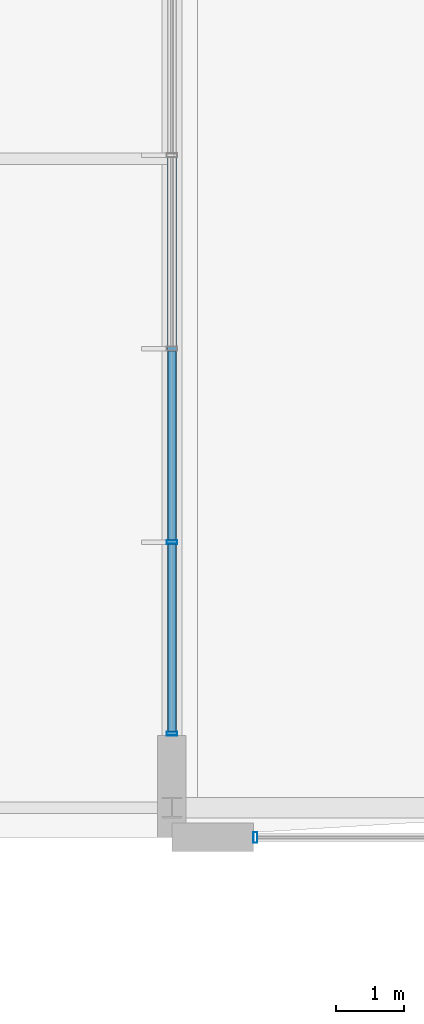
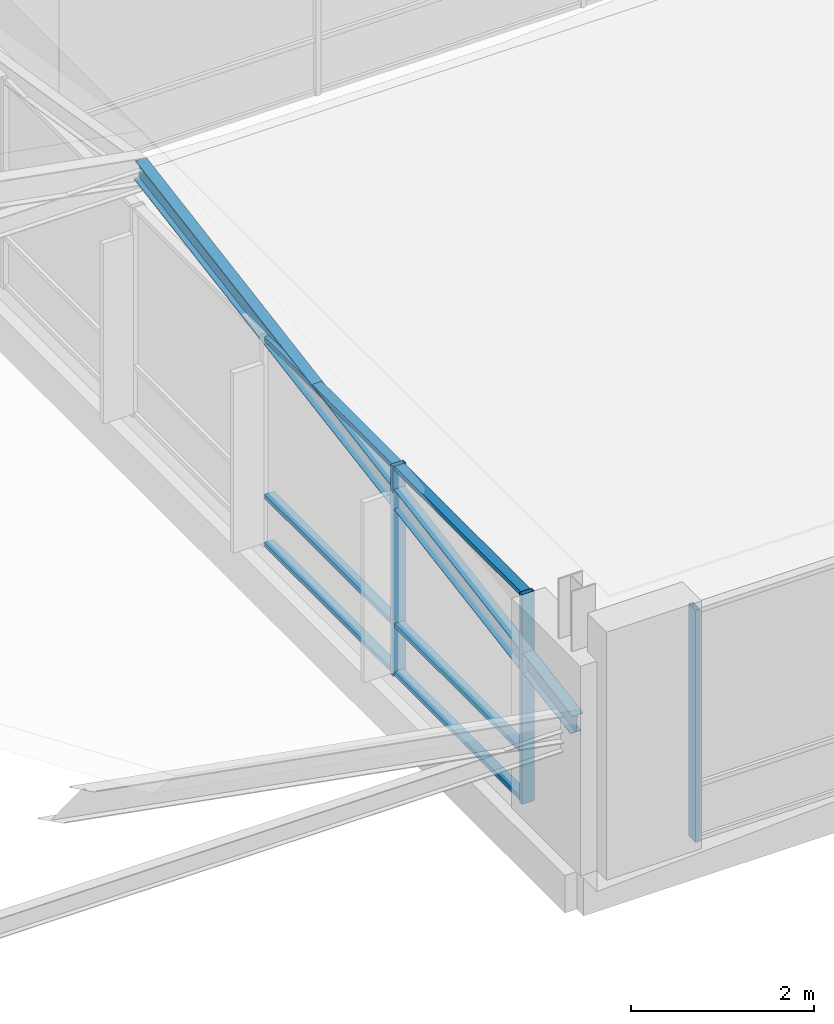
# One storey, part 43 of 189: 10 members, 2 elements without a shape of their own.
"""IFC4 building model written with IfcOpenShell, lengths in metres."""

from ifc_helpers import new_model, si_unit, direction, frame, origin, origin_2d, place, context, subcontext, project, spatial, hollow_rectangle, i_section, extrude, material, material_profile, profile_set, type_object, element, aggregate, save


model = new_model("IFC4")

# Units and contexts
model_context = context("Model", 3, precision=1e-05, world=origin(), true_north=direction((0.0, 1.0)))
body_context = subcontext(model_context, "Body", "Model", "MODEL_VIEW")
ifc_project = project(units=[si_unit("LENGTHUNIT", "METRE"), si_unit("AREAUNIT", "SQUARE_METRE"), si_unit("VOLUMEUNIT", "CUBIC_METRE"), si_unit("PLANEANGLEUNIT", "RADIAN"), si_unit("MASSUNIT", "GRAM", prefix="KILO")], contexts=[model_context])

# Site, building, storey
site_placement = place(None, origin())
site = spatial("IfcSite", under=ifc_project, at=site_placement, CompositionType="ELEMENT")
building_placement = place(site_placement, origin())
building = spatial("IfcBuilding", under=site, at=building_placement, Name="Zavelmont Quarter", CompositionType="ELEMENT")
storey_placement = place(building_placement, frame((0.0, 0.0, 4.39990234375)))
storey = spatial("IfcBuildingStorey", under=building, at=storey_placement, Name="L01", CompositionType="ELEMENT", Elevation=4.39990234375)

# Curtain wall, member
ifc_material_1 = material(Name="Thermally broken aluminium and double low-E safety glazing", Category="aluminium")
curtain_wall_type_1 = type_object("IfcCurtainWallType", Name="CW-1140X310", PredefinedType="NOTDEFINED", material=ifc_material_1)
curtain_wall_1_placement = place(storey_placement, origin())
curtain_wall_1 = element("IfcCurtainWall", 1, at=curtain_wall_1_placement, inside=storey, type_object=curtain_wall_type_1, Name="L01 unitised curtain wall CW-1140X310", PredefinedType="NOTDEFINED")
ifc_material_2 = material(Name="Powder-coated aluminium EN AW-6063-T6", Category="aluminium")
ifc_material_profile_1 = material_profile(ifc_material_2, hollow_rectangle(XDim=0.06005859375, YDim=0.159912109375, WallThickness=0.00390625, at=origin_2d()), Name="CWM60X160")
ifc_profile_set_1 = profile_set([ifc_material_profile_1], Name="Powder-coated aluminium EN AW-6063-T6")
member_type_1 = type_object("IfcMemberType", Name="CWM01", PredefinedType="MULLION", material=ifc_profile_set_1)
member_1_placement = place(storey_placement, frame((93.22998046875, 0.0, 0.0), z_axis=(0.0, 0.0, 1.0), x_axis=(1.0, 0.0, 0.0)))
member_1 = element("IfcMember", 2, at=member_1_placement, type_object=member_type_1, Name="CW-1140X310 mullion 1", PredefinedType="MULLION", context=body_context, shape_type="SweptSolid", body=[
    extrude(hollow_rectangle(XDim=0.06005859375, YDim=0.159912109375, WallThickness=0.00390625, at=origin_2d()), origin(), (0.0, 0.0, 1.0), 3.10009765625),
])
aggregate(curtain_wall_1, [member_1])

# Curtain wall, members
curtain_wall_type_2 = type_object("IfcCurtainWallType", Name="CW-1140X280", PredefinedType="NOTDEFINED", material=ifc_material_1)
curtain_wall_2_placement = place(storey_placement, origin())
curtain_wall_2 = element("IfcCurtainWall", 3, at=curtain_wall_2_placement, inside=storey, type_object=curtain_wall_type_2, Name="L01 unitised curtain wall CW-1140X280", PredefinedType="NOTDEFINED")
member_2_placement = place(storey_placement, frame((92.0, 1.530029296875, 0.0), z_axis=(0.0, 0.0, 1.0), x_axis=(0.0, 1.0, 0.0)))
member_2 = element("IfcMember", 4, at=member_2_placement, type_object=member_type_1, Name="CW-1140X280 mullion 1", PredefinedType="MULLION", context=body_context, shape_type="SweptSolid", body=[
    extrude(hollow_rectangle(XDim=0.06005859375, YDim=0.159912109375, WallThickness=0.00390625, at=origin_2d()), origin(), (0.0, 0.0, 1.0), 2.800048828125),
])
member_3_placement = place(storey_placement, frame((92.0, 4.35009765625, 0.0), z_axis=(0.0, 0.0, 1.0), x_axis=(0.0, 1.0, 0.0)))
member_3 = element("IfcMember", 5, at=member_3_placement, type_object=member_type_1, Name="CW-1140X280 mullion 2", PredefinedType="MULLION", context=body_context, shape_type="SweptSolid", body=[
    extrude(hollow_rectangle(XDim=0.06005859375, YDim=0.159912109375, WallThickness=0.00390625, at=origin_2d()), origin(), (0.0, 0.0, 1.0), 2.800048828125),
])
ifc_material_profile_2 = material_profile(ifc_material_2, hollow_rectangle(XDim=0.1201171875, YDim=0.06005859375, WallThickness=0.00390625, at=origin_2d()), Name="CWT60X120")
ifc_profile_set_2 = profile_set([ifc_material_profile_2], Name="Powder-coated aluminium EN AW-6063-T6")
member_type_2 = type_object("IfcMemberType", Name="CWT01", PredefinedType="NOTDEFINED", material=ifc_profile_set_2)
member_4_placement = place(storey_placement, frame((92.0, 1.56005859375, 0.030029296875), z_axis=(0.0, 1.0, 0.0), x_axis=(-1.0, 0.0, 0.0)))
member_4 = element("IfcMember", 6, at=member_4_placement, type_object=member_type_2, Name="CW-1140X280 transom 1.1", ObjectType="TRANSOM", PredefinedType="USERDEFINED", context=body_context, shape_type="SweptSolid", body=[
    extrude(hollow_rectangle(XDim=0.1201171875, YDim=0.06005859375, WallThickness=0.00390625, at=origin_2d()), origin(), (0.0, 0.0, 1.0), 2.760009765625),
])
member_5_placement = place(storey_placement, frame((92.0, 1.56005859375, 0.672119140625), z_axis=(0.0, 1.0, 0.0), x_axis=(-1.0, 0.0, 0.0)))
member_5 = element("IfcMember", 7, at=member_5_placement, type_object=member_type_2, Name="CW-1140X280 transom 1.2", ObjectType="TRANSOM", PredefinedType="USERDEFINED", context=body_context, shape_type="SweptSolid", body=[
    extrude(hollow_rectangle(XDim=0.1201171875, YDim=0.06005859375, WallThickness=0.00390625, at=origin_2d()), origin(), (0.0, 0.0, 1.0), 2.760009765625),
])
member_6_placement = place(storey_placement, frame((92.0, 1.56005859375, 2.77001953125), z_axis=(0.0, 1.0, 0.0), x_axis=(-1.0, 0.0, 0.0)))
member_6 = element("IfcMember", 8, at=member_6_placement, type_object=member_type_2, Name="CW-1140X280 transom 1.3", ObjectType="TRANSOM", PredefinedType="USERDEFINED", context=body_context, shape_type="SweptSolid", body=[
    extrude(hollow_rectangle(XDim=0.1201171875, YDim=0.06005859375, WallThickness=0.00390625, at=origin_2d()), origin(), (0.0, 0.0, 1.0), 2.760009765625),
])
member_7_placement = place(storey_placement, frame((92.0, 4.3798828125, 0.030029296875), z_axis=(0.0, 1.0, 0.0), x_axis=(-1.0, 0.0, 0.0)))
member_7 = element("IfcMember", 9, at=member_7_placement, type_object=member_type_2, Name="CW-1140X280 transom 2.1", ObjectType="TRANSOM", PredefinedType="USERDEFINED", context=body_context, shape_type="SweptSolid", body=[
    extrude(hollow_rectangle(XDim=0.1201171875, YDim=0.06005859375, WallThickness=0.00390625, at=origin_2d()), origin(), (0.0, 0.0, 1.0), 2.7900390625),
])
member_8_placement = place(storey_placement, frame((92.0, 4.3798828125, 0.672119140625), z_axis=(0.0, 1.0, 0.0), x_axis=(-1.0, 0.0, 0.0)))
member_8 = element("IfcMember", 10, at=member_8_placement, type_object=member_type_2, Name="CW-1140X280 transom 2.2", ObjectType="TRANSOM", PredefinedType="USERDEFINED", context=body_context, shape_type="SweptSolid", body=[
    extrude(hollow_rectangle(XDim=0.1201171875, YDim=0.06005859375, WallThickness=0.00390625, at=origin_2d()), origin(), (0.0, 0.0, 1.0), 2.7900390625),
])
member_9_placement = place(storey_placement, frame((92.0, 4.3798828125, 2.77001953125), z_axis=(0.0, 1.0, 0.0), x_axis=(-1.0, 0.0, 0.0)))
member_9 = element("IfcMember", 11, at=member_9_placement, type_object=member_type_2, Name="CW-1140X280 transom 2.3", ObjectType="TRANSOM", PredefinedType="USERDEFINED", context=body_context, shape_type="SweptSolid", body=[
    extrude(hollow_rectangle(XDim=0.1201171875, YDim=0.06005859375, WallThickness=0.00390625, at=origin_2d()), origin(), (0.0, 0.0, 1.0), 2.7900390625),
])
aggregate(curtain_wall_2, [member_2, member_3, member_4, member_5, member_6, member_7, member_8, member_9])

# Member
ifc_material_3 = material(Name="Steel S355", Category="steel")
ifc_material_profile_3 = material_profile(ifc_material_3, i_section(OverallWidth=0.135009765625, OverallDepth=0.27001953125, WebThickness=0.006591796875, FlangeThickness=0.01025390625, at=origin_2d()), Name="IPE 270")
ifc_profile_set_3 = profile_set([ifc_material_profile_3], Name="Steel S355")
member_type_3 = type_object("IfcMemberType", Name="PR01", PredefinedType="PURLIN", material=ifc_profile_set_3)
member_10_placement = place(storey_placement, frame((92.0, 0.43994140625, 1.7001953125), z_axis=(0.0, 0.985946642344, 0.167060523315), x_axis=(-1.0, 0.0, 0.0)))
element("IfcMember", 12, at=member_10_placement, inside=storey, type_object=member_type_3, Name="L01 member PR01 14/A to 14/C", PredefinedType="PURLIN", context=body_context, shape_type="SweptSolid", body=[
    extrude(i_section(OverallWidth=0.135009765625, OverallDepth=0.27001953125, WebThickness=0.006591796875, FlangeThickness=0.01025390625, at=origin_2d()), origin(), (0.0, 0.0, 1.0), 9.6962890625),
])

save(model, "model.ifc")
